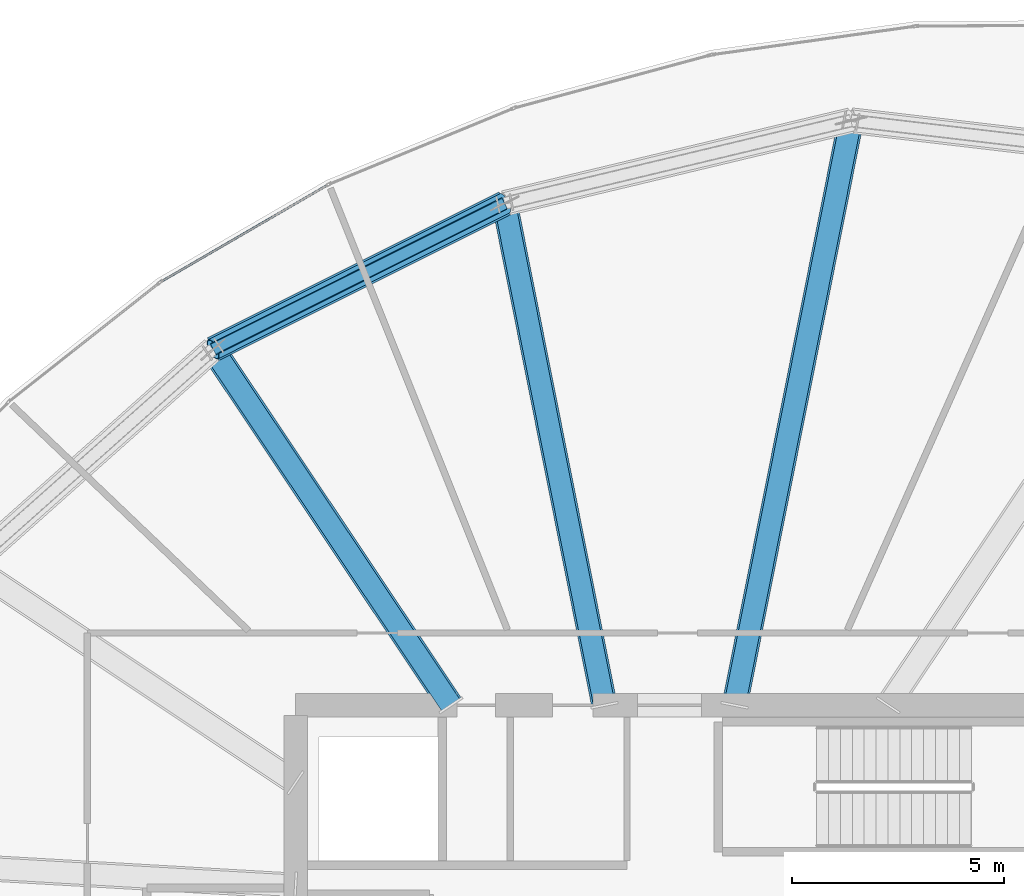
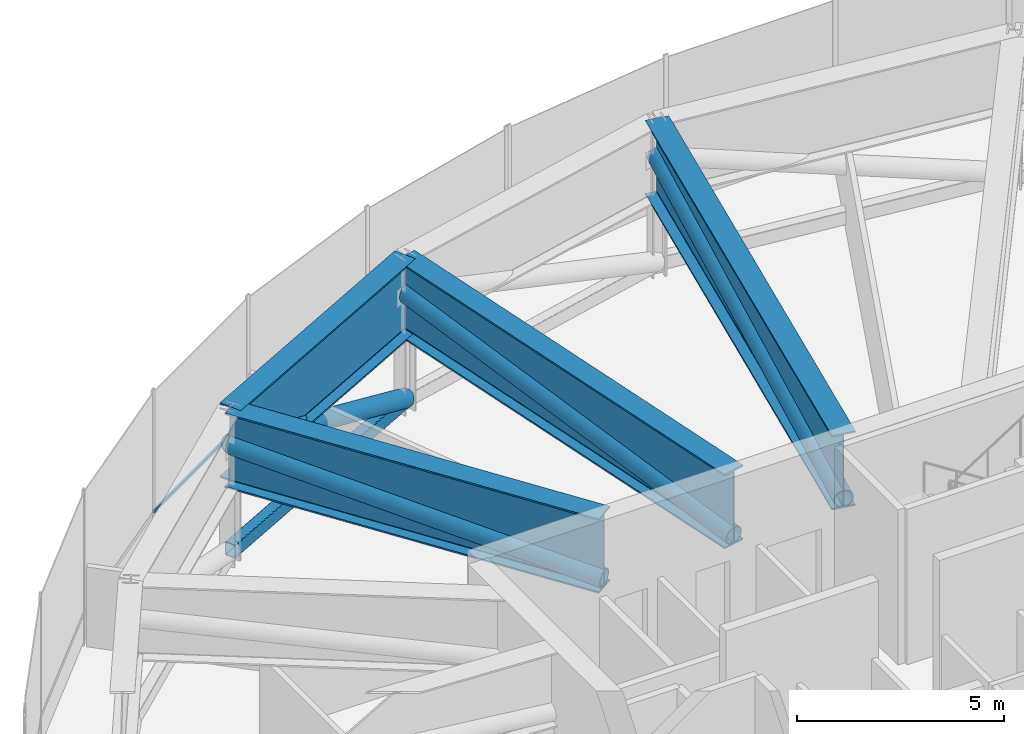
# One storey, part 19 of 30: 6 members, 4 beams, 1 element without a shape of its own.
"""IFC4 building model written with IfcOpenShell, lengths in metres."""

from ifc_helpers import new_model, si_unit, direction, frame, origin, origin_2d, place, context, subcontext, project, spatial, hollow_rectangle, hollow_circle, i_section, extrude, source, transform, mapped, material, layer, layer_set, material_profile, profile_set, type_object, element, aggregate, save


model = new_model("IFC4")

# Units and contexts
model_context = context("Model", 3, precision=1e-05, world=origin(), true_north=direction((0.0, 1.0)))
body_context = subcontext(model_context, "Body", "Model", "MODEL_VIEW")
ifc_project = project(units=[si_unit("LENGTHUNIT", "METRE"), si_unit("AREAUNIT", "SQUARE_METRE"), si_unit("VOLUMEUNIT", "CUBIC_METRE"), si_unit("PLANEANGLEUNIT", "RADIAN"), si_unit("MASSUNIT", "GRAM", prefix="KILO"), si_unit("THERMODYNAMICTEMPERATUREUNIT", "KELVIN")], contexts=[model_context])

# Site, building, storey
site_placement = place(None, origin())
site = spatial("IfcSite", under=ifc_project, at=site_placement, CompositionType="ELEMENT")
building_placement = place(site_placement, origin())
building = spatial("IfcBuilding", under=site, at=building_placement, Name="Kethvar Cultural Tower", CompositionType="ELEMENT")
storey_placement = place(building_placement, frame((0.0, 0.0, 171.39990234375)))
storey = spatial("IfcBuildingStorey", under=building, at=storey_placement, Name="L44", CompositionType="ELEMENT", Elevation=171.39990234375)

# Beam
ifc_material_1 = material(Name="Steel S460M", Category="steel")
ifc_material_profile_1 = material_profile(ifc_material_1, i_section(OverallWidth=0.60009765625, OverallDepth=2.199951171875, WebThickness=0.028076171875, FlangeThickness=0.044921875, FilletRadius=0.02197265625, at=origin_2d()), Name="Steel S460M — PG2200x600x45x28")
ifc_profile_set_1 = profile_set([ifc_material_profile_1], Name="Steel S460M — PG2200x600x45x28")
beam_type = type_object("IfcBeamType", Name="BM-TR2200", PredefinedType="BEAM", material=ifc_profile_set_1)
shared_shape_1 = source(origin(), body_context, "Body", "SweptSolid", [
    extrude(i_section(OverallWidth=0.60009765625, OverallDepth=2.199951171875, WebThickness=0.028076171875, FlangeThickness=0.044921875, FilletRadius=0.02197265625, at=origin_2d()), origin(), (0.0, 0.0, 1.0), 14.02880859375),
])
beam_1_placement = place(storey_placement, frame((48.33154296875, 35.5, 3.47802734375), z_axis=(0.195101986683, 0.980782960085, 0.0), x_axis=(-0.980782960085, 0.195101986683, 0.0)))
element("IfcBeam", 1, at=beam_1_placement, inside=storey, type_object=beam_type, Name="L44 Outrigger Transfer Girder OG-04", PredefinedType="BEAM", context=body_context, shape_type="MappedRepresentation", body=[
    mapped(shared_shape_1, transform((0.0, 0.0, 0.0), scale=1.0)),
])

# Member
ifc_material_profile_2 = material_profile(ifc_material_1, hollow_circle(Radius=0.25390625, WallThickness=0.02001953125, at=origin_2d()), Name="Steel S460M — CHS508x20")
ifc_profile_set_2 = profile_set([ifc_material_profile_2], Name="Steel S460M — CHS508x20")
member_type_1 = type_object("IfcMemberType", Name="MB-OUT-508", PredefinedType="BRACE", material=ifc_profile_set_2)
shared_shape_2 = source(origin(), body_context, "Body", "SweptSolid", [
    extrude(hollow_circle(Radius=0.25390625, WallThickness=0.02001953125, at=origin_2d()), origin(), (0.0, 0.0, 1.0), 14.05322265625),
])
member_1_placement = place(storey_placement, frame((48.33154296875, 35.5, 2.650146484375), z_axis=(0.194763150766, 0.979079622772, 0.058910163612), x_axis=(-0.980782960085, 0.195101986683, 0.0)))
element("IfcMember", 2, at=member_1_placement, inside=storey, type_object=member_type_1, Name="L44 Outrigger Truss Diagonal OB-04", PredefinedType="BRACE", context=body_context, shape_type="MappedRepresentation", body=[
    mapped(shared_shape_2, transform((0.0, 0.0, 0.0), scale=1.0)),
])

# Beam
shared_shape_3 = source(origin(), body_context, "Body", "SweptSolid", [
    extrude(i_section(OverallWidth=0.60009765625, OverallDepth=2.199951171875, WebThickness=0.028076171875, FlangeThickness=0.044921875, FilletRadius=0.02197265625, at=origin_2d()), origin(), (0.0, 0.0, 1.0), 12.042724609375),
])
beam_2_placement = place(storey_placement, frame((45.268310546875, 35.5, 3.47802734375), z_axis=(-0.195086784047, 0.980785984142, 0.0), x_axis=(-0.980785984142, -0.195086784047, 0.0)))
element("IfcBeam", 3, at=beam_2_placement, inside=storey, type_object=beam_type, Name="L44 Outrigger Transfer Girder OG-05", PredefinedType="BEAM", context=body_context, shape_type="MappedRepresentation", body=[
    mapped(shared_shape_3, transform((0.0, 0.0, 0.0), scale=1.0)),
])

# Member
shared_shape_4 = source(origin(), body_context, "Body", "SweptSolid", [
    extrude(hollow_circle(Radius=0.25390625, WallThickness=0.02001953125, at=origin_2d()), origin(), (0.0, 0.0, 1.0), 12.071044921875),
])
member_2_placement = place(storey_placement, frame((45.268310546875, 35.5, 2.650146484375), z_axis=(-0.194627425141, 0.978476587437, 0.068583767916), x_axis=(-0.980785984142, -0.195086784047, 0.0)))
element("IfcMember", 4, at=member_2_placement, inside=storey, type_object=member_type_1, Name="L44 Outrigger Truss Diagonal OB-05", PredefinedType="BRACE", context=body_context, shape_type="MappedRepresentation", body=[
    mapped(shared_shape_4, transform((0.0, 0.0, 0.0), scale=1.0)),
])

# Beam
shared_shape_5 = source(origin(), body_context, "Body", "SweptSolid", [
    extrude(i_section(OverallWidth=0.60009765625, OverallDepth=2.199951171875, WebThickness=0.028076171875, FlangeThickness=0.044921875, FilletRadius=0.02197265625, at=origin_2d()), origin(), (0.0, 0.0, 1.0), 7.672607421875),
])
beam_3_placement = place(storey_placement, frame((42.9189453125, 47.311279296875, 3.47802734375), z_axis=(-0.894248932057, -0.447569935892, 0.0), x_axis=(0.447569935892, -0.894248932057, 0.0)))
element("IfcBeam", 5, at=beam_3_placement, inside=storey, type_object=beam_type, Name="L44 Ring Belt Girder BG-05", PredefinedType="BEAM", context=body_context, shape_type="MappedRepresentation", body=[
    mapped(shared_shape_5, transform((0.0, 0.0, 0.0), scale=1.0)),
])

# Members
ifc_material_profile_3 = material_profile(ifc_material_1, hollow_rectangle(XDim=0.300048828125, YDim=0.39990234375, WallThickness=0.01611328125, InnerFilletRadius=0.01611328125, OuterFilletRadius=0.031982421875, at=origin_2d()), Name="Steel S460M — RHS400x300x16")
ifc_profile_set_3 = profile_set([ifc_material_profile_3], Name="Steel S460M — RHS400x300x16")
member_type_2 = type_object("IfcMemberType", Name="MB-CHD-400", PredefinedType="CHORD", material=ifc_profile_set_3)
shared_shape_6 = source(origin(), body_context, "Body", "SweptSolid", [
    extrude(hollow_rectangle(XDim=0.300048828125, YDim=0.39990234375, WallThickness=0.01611328125, InnerFilletRadius=0.01611328125, OuterFilletRadius=0.031982421875, at=origin_2d()), origin(), (0.0, 0.0, 1.0), 7.672607421875),
])
member_3_placement = place(storey_placement, frame((42.9189453125, 47.311279296875, 0.35009765625), z_axis=(-0.894248932057, -0.447569935892, 0.0), x_axis=(0.447569935892, -0.894248932057, 0.0)))
element("IfcMember", 6, at=member_3_placement, inside=storey, type_object=member_type_2, Name="L44 Ring Belt Bottom Chord BC-05", PredefinedType="CHORD", context=body_context, shape_type="MappedRepresentation", body=[
    mapped(shared_shape_6, transform((0.0, 0.0, 0.0), scale=1.0)),
])
shared_shape_7 = source(origin(), body_context, "Body", "SweptSolid", [
    extrude(hollow_circle(Radius=0.25390625, WallThickness=0.02001953125, at=origin_2d()), origin(), (0.0, 0.0, 1.0), 8.285888671875),
])
member_4_placement = place(storey_placement, frame((42.9189453125, 47.311279296875, 0.35009765625), z_axis=(-0.828081519573, -0.414453268372, 0.377504285111), x_axis=(0.447569935892, -0.894248932057, 0.0)))
element("IfcMember", 7, at=member_4_placement, inside=storey, type_object=member_type_1, Name="L44 Ring Belt Diagonal BD-05", PredefinedType="BRACE", context=body_context, shape_type="MappedRepresentation", body=[
    mapped(shared_shape_7, transform((0.0, 0.0, 0.0), scale=1.0)),
])

# Beam
shared_shape_8 = source(origin(), body_context, "Body", "SweptSolid", [
    extrude(i_section(OverallWidth=0.60009765625, OverallDepth=2.199951171875, WebThickness=0.028076171875, FlangeThickness=0.044921875, FilletRadius=0.02197265625, at=origin_2d()), origin(), (0.0, 0.0, 1.0), 10.0751953125),
])
beam_4_placement = place(storey_placement, frame((41.655029296875, 35.5, 3.47802734375), z_axis=(-0.555566654614, 0.831472003305, 0.0), x_axis=(-0.831472003305, -0.555566654614, 0.0)))
element("IfcBeam", 8, at=beam_4_placement, inside=storey, type_object=beam_type, Name="L44 Outrigger Transfer Girder OG-06", PredefinedType="BEAM", context=body_context, shape_type="MappedRepresentation", body=[
    mapped(shared_shape_8, transform((0.0, 0.0, 0.0), scale=1.0)),
])

# Member
shared_shape_9 = source(origin(), body_context, "Body", "SweptSolid", [
    extrude(hollow_circle(Radius=0.25390625, WallThickness=0.02001953125, at=origin_2d()), origin(), (0.0, 0.0, 1.0), 10.109130859375),
])
member_5_placement = place(storey_placement, frame((41.655029296875, 35.5, 2.650146484375), z_axis=(-0.553700502074, 0.82867908264, 0.081894639619), x_axis=(-0.831472003305, -0.555566654614, 0.0)))
element("IfcMember", 9, at=member_5_placement, inside=storey, type_object=member_type_1, Name="L44 Outrigger Truss Diagonal OB-06", PredefinedType="BRACE", context=body_context, shape_type="MappedRepresentation", body=[
    mapped(shared_shape_9, transform((0.0, 0.0, 0.0), scale=1.0)),
])

# Curtain wall, member
ifc_material_2 = material(Name="Aluminium 6063-T6", Category="aluminium")
ifc_layer = layer(ifc_material_2, 0.179931640625, Name="Aluminium 6063-T6", Category="aluminium")
ifc_layer_set = layer_set([ifc_layer], Name="Aluminium 6063-T6 (180 mm)")
curtain_wall_type = type_object("IfcCurtainWallType", Name="CW-SYS-04-Z34", PredefinedType="NOTDEFINED", material=ifc_layer_set)
curtain_wall_placement = place(storey_placement, origin())
curtain_wall = element("IfcCurtainWall", 10, at=curtain_wall_placement, inside=storey, type_object=curtain_wall_type, Name="L44 Curtain Wall Run 02", PredefinedType="NOTDEFINED")
ifc_material_profile_4 = material_profile(ifc_material_2, hollow_rectangle(XDim=0.050048828125, YDim=0.10009765625, WallThickness=0.00390625, at=origin_2d()), Name="Aluminium 6063-T6 — RHS100x50x4")
ifc_profile_set_4 = profile_set([ifc_material_profile_4], Name="Aluminium 6063-T6 — RHS100x50x4")
member_type_3 = type_object("IfcMemberType", Name="CW-SYS-04-Z34-TRN", PredefinedType="USERDEFINED", material=ifc_profile_set_4)
shared_shape_10 = source(origin(), body_context, "Body", "SweptSolid", [
    extrude(hollow_rectangle(XDim=0.050048828125, YDim=0.10009765625, WallThickness=0.00390625, at=origin_2d()), origin(), (0.0, 0.0, 1.0), 4.519287109375),
])
member_6_placement = place(storey_placement, frame((38.743408203125, 47.738037109375, 0.9501953125), z_axis=(-0.864788189877, -0.502136820646, 0.0), x_axis=(0.502136820646, -0.864788189877, 0.0)))
member_6 = element("IfcMember", 11, at=member_6_placement, type_object=member_type_3, Name="CW-L44-R02 Transom 3", ObjectType="TRANSOM", PredefinedType="USERDEFINED", context=body_context, shape_type="MappedRepresentation", body=[
    mapped(shared_shape_10, transform((0.0, 0.0, 0.0), scale=1.0)),
])
aggregate(curtain_wall, [member_6])

save(model, "model.ifc")
